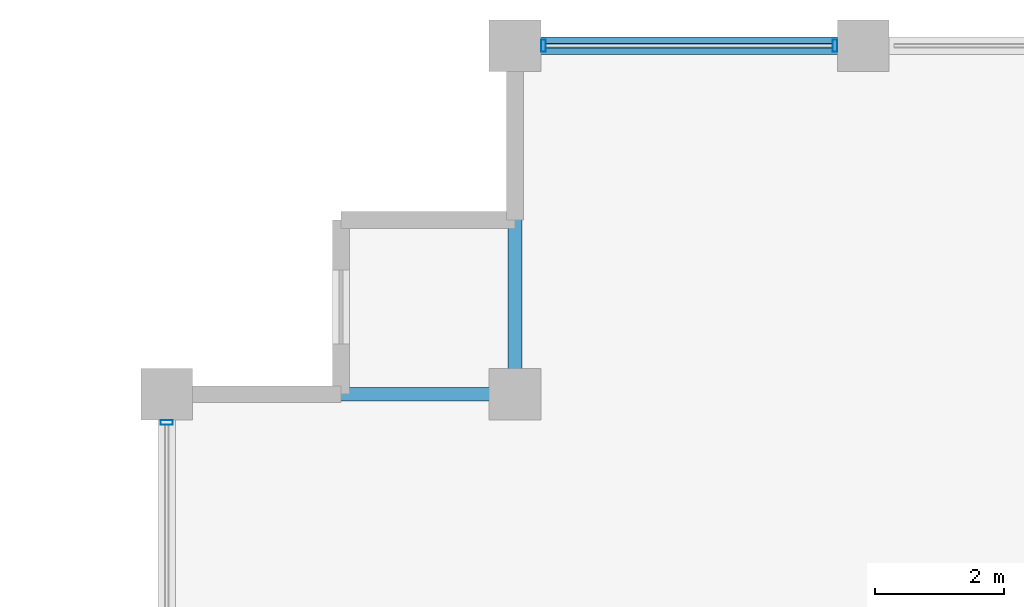
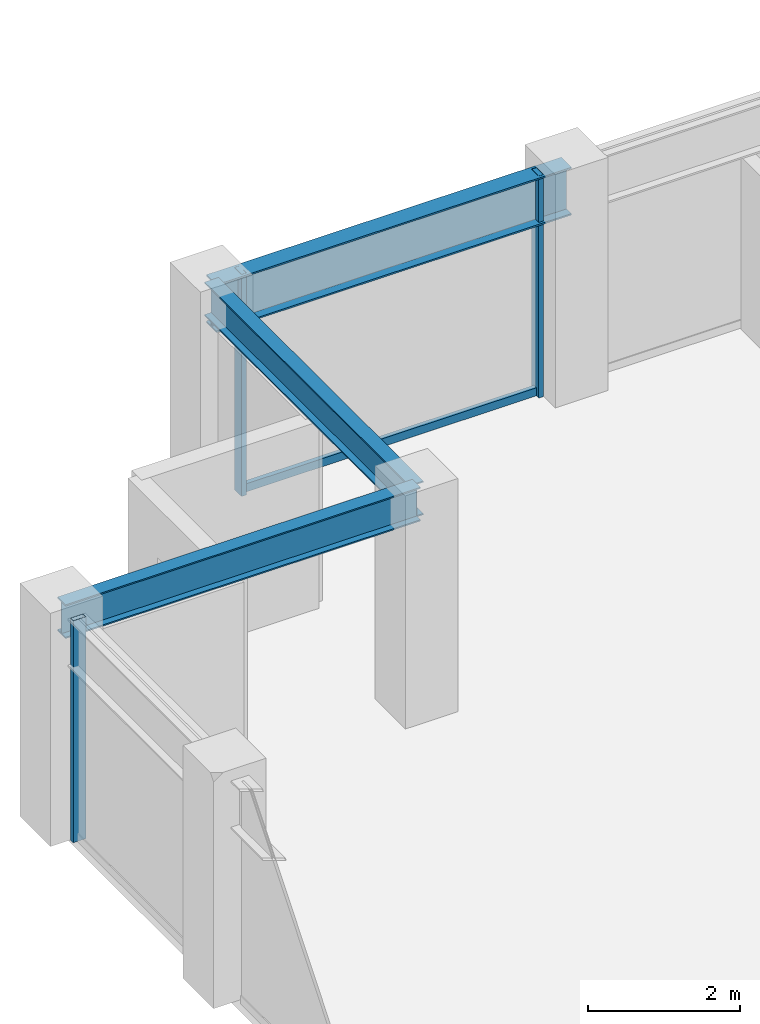
# One storey, part 15 of 28: 4 members, 3 beams, 2 elements without a shape of their own.
"""IFC4 building model written with IfcOpenShell, lengths in metres."""

from ifc_helpers import new_model, si_unit, direction, frame, origin, origin_2d, place, context, subcontext, project, spatial, hollow_rectangle, i_section, extrude, material, layer, layer_set, material_profile, profile_set, type_object, element, aggregate, save


model = new_model("IFC4")

# Units and contexts
model_context = context("Model", 3, precision=1e-05, world=origin(), true_north=direction((0.0, 1.0)))
body_context = subcontext(model_context, "Body", "Model", "MODEL_VIEW")
ifc_project = project(units=[si_unit("LENGTHUNIT", "METRE"), si_unit("AREAUNIT", "SQUARE_METRE"), si_unit("VOLUMEUNIT", "CUBIC_METRE"), si_unit("PLANEANGLEUNIT", "RADIAN"), si_unit("MASSUNIT", "GRAM", prefix="KILO")], contexts=[model_context])

# Site, building, storey
site_placement = place(None, origin())
site = spatial("IfcSite", under=ifc_project, at=site_placement, CompositionType="ELEMENT")
building_placement = place(site_placement, origin())
building = spatial("IfcBuilding", under=site, at=building_placement, Name="Surkhivell Harbour Commons", CompositionType="ELEMENT")
storey_placement = place(building_placement, frame((0.0, 0.0, 238.5)))
storey = spatial("IfcBuildingStorey", under=building, at=storey_placement, Name="L62", CompositionType="ELEMENT", Elevation=238.5)

# Beams
ifc_material_1 = material(Name="Steel S355", Category="steel")
ifc_material_profile_1 = material_profile(ifc_material_1, i_section(OverallWidth=0.2119140625, OverallDepth=0.5439453125, WebThickness=0.0126953125, FlangeThickness=0.021240234375, at=origin_2d()), Name="UB533x210x122")
ifc_profile_set_1 = profile_set([ifc_material_profile_1], Name="Steel S355")
beam_type_1 = type_object("IfcBeamType", Name="BM-GRD-533A", PredefinedType="BEAM", material=ifc_profile_set_1)
for number, where, z_axis, x_axis, name in (
    (1, (-27.0, 20.5, 3.298095703125), (1.0, 0.0, 0.0), (0.0, 1.0, 0.0), "L62 Floor Girder (-27.0,20.5)"),
    (2, (-21.60009765625, 20.5, 3.298095703125), (0.0, 1.0, 0.0), (-1.0, 0.0, 0.0), "L62 Floor Girder (-21.6,20.5)"),
):
    element("IfcBeam", number, at=place(storey_placement, frame(where, z_axis=z_axis, x_axis=x_axis)), inside=storey, type_object=beam_type_1, Name=name, PredefinedType="BEAM", context=body_context, shape_type="SweptSolid", body=[
        extrude(i_section(OverallWidth=0.2119140625, OverallDepth=0.5439453125, WebThickness=0.0126953125, FlangeThickness=0.021240234375, at=origin_2d()), origin(), (0.0, 0.0, 1.0), 5.39990234375),
    ])
ifc_material_profile_2 = material_profile(ifc_material_1, i_section(OverallWidth=0.26806640625, OverallDepth=0.77001953125, WebThickness=0.015625, FlangeThickness=0.025390625, at=origin_2d()), Name="UB762x267x197")
ifc_profile_set_2 = profile_set([ifc_material_profile_2], Name="Steel S355")
beam_type_2 = type_object("IfcBeamType", Name="BM-SPN-762", PredefinedType="SPANDREL", material=ifc_profile_set_2)
beam_placement = place(storey_placement, frame((-21.60009765625, 25.89990234375, 3.18505859375), z_axis=(1.0, 0.0, 0.0), x_axis=(0.0, 1.0, 0.0)))
element("IfcBeam", 3, at=beam_placement, inside=storey, type_object=beam_type_2, Name="L62 Tube Spandrel (-21.6,25.9)", PredefinedType="SPANDREL", context=body_context, shape_type="SweptSolid", body=[
    extrude(i_section(OverallWidth=0.26806640625, OverallDepth=0.77001953125, WebThickness=0.015625, FlangeThickness=0.025390625, at=origin_2d()), origin(), (0.0, 0.0, 1.0), 5.400146484375),
])

# Curtain wall, members
ifc_material_2 = material(Name="Anodised pale-metal aluminium and insulated glazing", Category="aluminium")
ifc_layer = layer(ifc_material_2, 0.18994140625)
ifc_layer_set = layer_set([ifc_layer], Name="Anodised pale-metal aluminium and insulated glazing")
curtain_wall_type = type_object("IfcCurtainWallType", Name="CW-SYS-Z3", PredefinedType="NOTDEFINED", material=ifc_layer_set)
curtain_wall_1_placement = place(storey_placement, origin())
curtain_wall_1 = element("IfcCurtainWall", 4, at=curtain_wall_1_placement, inside=storey, type_object=curtain_wall_type, Name="L62 Curtain Wall CW-L62-E07S2", PredefinedType="NOTDEFINED")
ifc_material_3 = material(Name="Anodised pale-metal aluminium alloy 6063-T6", Category="aluminium")
ifc_material_profile_3 = material_profile(ifc_material_3, hollow_rectangle(XDim=0.074951171875, YDim=0.18994140625, WallThickness=0.00390625, at=origin_2d()), Name="ALU-MULL-75x190")
ifc_profile_set_3 = profile_set([ifc_material_profile_3], Name="Anodised pale-metal aluminium alloy 6063-T6")
member_type_1 = type_object("IfcMemberType", Name="CWM-190", PredefinedType="MULLION", material=ifc_profile_set_3)
member_1_placement = place(storey_placement, frame((-16.639404296875, 25.89990234375, 0.0), z_axis=(0.0, 0.0, 1.0), x_axis=(-1.0, 0.0, 0.0)))
member_1 = element("IfcMember", 5, at=member_1_placement, type_object=member_type_1, Name="CW-Z3 mullion 3", PredefinedType="MULLION", context=body_context, shape_type="SweptSolid", body=[
    extrude(hollow_rectangle(XDim=0.074951171875, YDim=0.18994140625, WallThickness=0.00390625, at=origin_2d()), origin(), (0.0, 0.0, 1.0), 3.570068359375),
])
member_2_placement = place(storey_placement, frame((-21.160400390625, 25.89990234375, 0.0), z_axis=(0.0, 0.0, 1.0), x_axis=(-1.0, 0.0, 0.0)))
member_2 = element("IfcMember", 6, at=member_2_placement, type_object=member_type_1, Name="CW-Z3 mullion 4", PredefinedType="MULLION", context=body_context, shape_type="SweptSolid", body=[
    extrude(hollow_rectangle(XDim=0.074951171875, YDim=0.18994140625, WallThickness=0.00390625, at=origin_2d()), origin(), (0.0, 0.0, 1.0), 3.570068359375),
])

# Curtain wall, member
curtain_wall_2_placement = place(storey_placement, origin())
curtain_wall_2 = element("IfcCurtainWall", 7, at=curtain_wall_2_placement, inside=storey, type_object=curtain_wall_type, Name="L62 Curtain Wall CW-L62-E12R2", PredefinedType="NOTDEFINED")
member_3_placement = place(storey_placement, frame((-27.0, 20.060546875, 0.0), z_axis=(0.0, 0.0, 1.0), x_axis=(0.0, 1.0, 0.0)))
member_3 = element("IfcMember", 8, at=member_3_placement, type_object=member_type_1, Name="CW-Z3 mullion 4", PredefinedType="MULLION", context=body_context, shape_type="SweptSolid", body=[
    extrude(hollow_rectangle(XDim=0.074951171875, YDim=0.18994140625, WallThickness=0.00390625, at=origin_2d()), origin(), (0.0, 0.0, 1.0), 3.570068359375),
])
aggregate(curtain_wall_2, [member_3])

# Member
ifc_material_4 = material(Name="Champagne anodised aluminium alloy 6063-T6", Category="aluminium")
ifc_material_profile_4 = material_profile(ifc_material_4, hollow_rectangle(XDim=0.070068359375, YDim=0.1298828125, WallThickness=0.00341796875, at=origin_2d()), Name="ALU-TRAN-70x130")
ifc_profile_set_4 = profile_set([ifc_material_profile_4], Name="Champagne anodised aluminium alloy 6063-T6")
member_type_2 = type_object("IfcMemberType", Name="CWT-130", PredefinedType="USERDEFINED", material=ifc_profile_set_4)
member_4_placement = place(storey_placement, frame((-16.677001953125, 25.89990234375, 0.06494140625), z_axis=(-1.0, 0.0, 0.0), x_axis=(0.0, -1.0, 0.0)))
member_4 = element("IfcMember", 9, at=member_4_placement, type_object=member_type_2, Name="CW-Z3 transom 3.1", ObjectType="TRANSOM", PredefinedType="USERDEFINED", context=body_context, shape_type="SweptSolid", body=[
    extrude(hollow_rectangle(XDim=0.070068359375, YDim=0.1298828125, WallThickness=0.00341796875, at=origin_2d()), origin(), (0.0, 0.0, 1.0), 4.446044921875),
])

aggregate(curtain_wall_1, [member_1, member_2, member_4])

save(model, "model.ifc")
